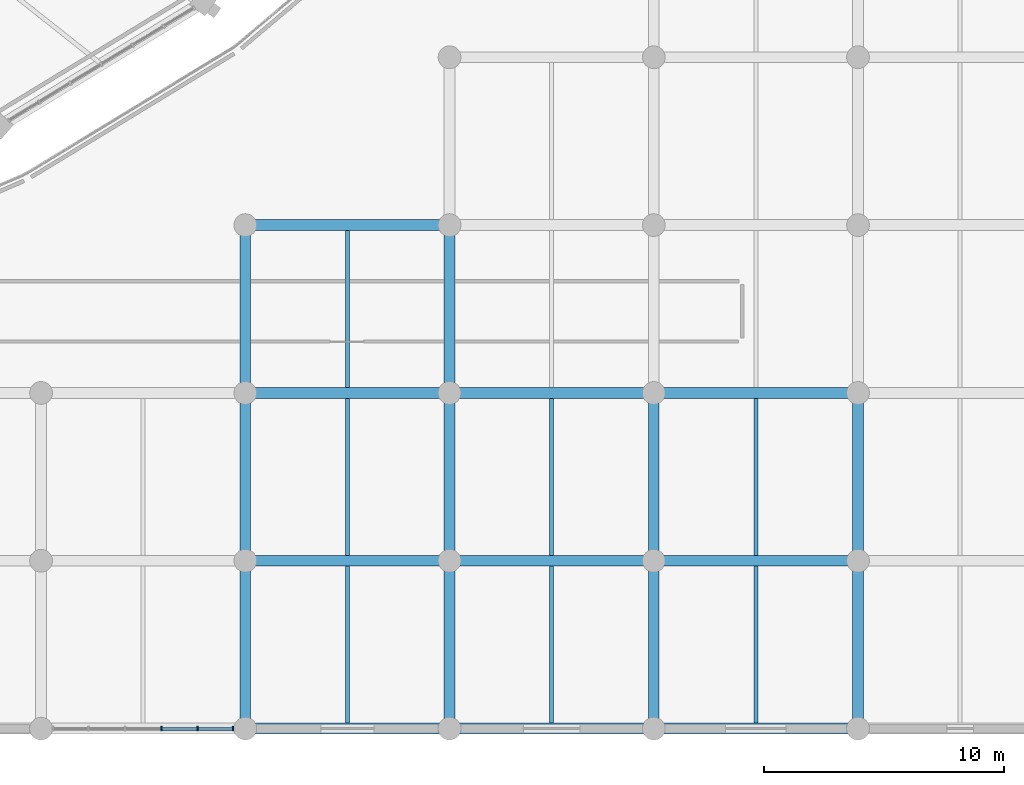
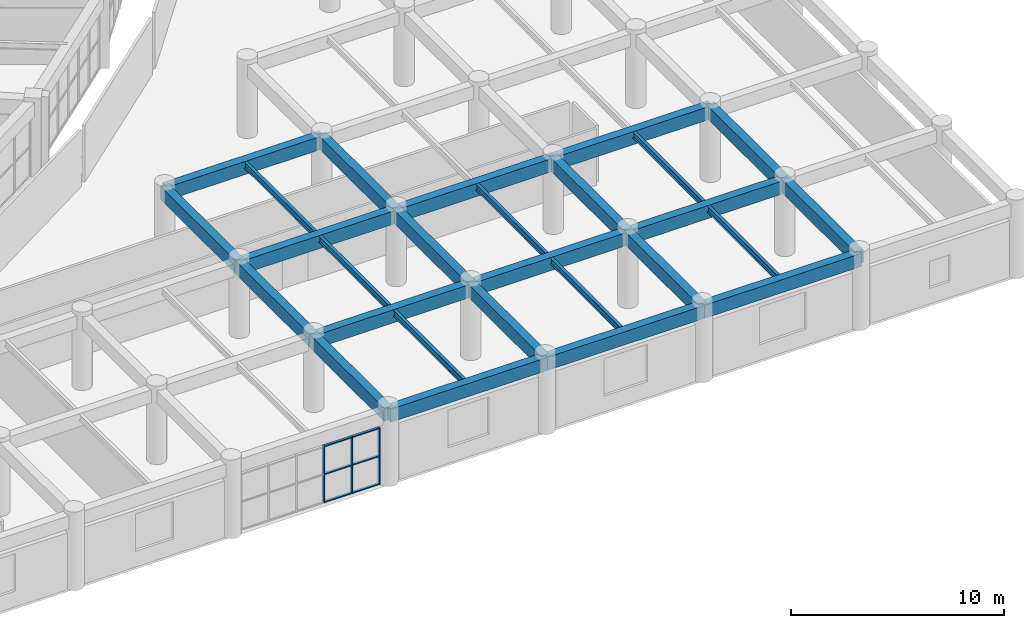
# One storey, part 41 of 145: 27 beams, 9 members, 1 element without a shape of its own.
"""IFC4 building model written with IfcOpenShell, lengths in metres."""

from ifc_helpers import new_model, si_unit, direction, frame, origin, origin_2d, place, context, subcontext, project, spatial, rectangle, i_section, extrude, material, layer, layer_set, material_profile, profile_set, type_object, element, aggregate, save


model = new_model("IFC4")

# Units and contexts
model_context = context("Model", 3, precision=1e-05, world=origin(), true_north=direction((0.0, 1.0)))
body_context = subcontext(model_context, "Body", "Model", "MODEL_VIEW")
ifc_project = project(units=[si_unit("LENGTHUNIT", "METRE"), si_unit("AREAUNIT", "SQUARE_METRE"), si_unit("VOLUMEUNIT", "CUBIC_METRE"), si_unit("PLANEANGLEUNIT", "RADIAN"), si_unit("MASSUNIT", "GRAM", prefix="KILO")], contexts=[model_context])

# Site, building, storey
site_placement = place(None, origin())
site = spatial("IfcSite", under=ifc_project, at=site_placement, CompositionType="ELEMENT")
building_placement = place(site_placement, origin())
building = spatial("IfcBuilding", under=site, at=building_placement, Name="Mphavela Belvedere Stadium", CompositionType="ELEMENT")
storey_placement = place(building_placement, frame((0.0, 0.0, 10.199951171875)))
storey = spatial("IfcBuildingStorey", under=building, at=storey_placement, Name="L02", CompositionType="ELEMENT", Elevation=10.199951171875)

# Beams
ifc_material_1 = material(Name="Steel S355", Category="steel")
ifc_material_profile_1 = material_profile(ifc_material_1, i_section(OverallWidth=0.169921875, OverallDepth=0.360107421875, WebThickness=0.008056640625, FlangeThickness=0.0126953125, at=origin_2d()), Name="IPE 360")
ifc_profile_set_1 = profile_set([ifc_material_profile_1], Name="Steel S355")
beam_type_1 = type_object("IfcBeamType", Name="BM-JOIST-IPE360", PredefinedType="JOIST", material=ifc_profile_set_1)
for number, where, z_axis, x_axis, name in (
    (1, (200.18505859375, 0.22509765625, 4.06005859375), (0.0, 1.0, 0.0), (-1.0, 0.0, 0.0), "South Axial Triumphal Peristyle Portico secondary joist L02 24-1"),
    (2, (200.18505859375, 7.22509765625, 4.06005859375), (0.0, 1.0, 0.0), (-1.0, 0.0, 0.0), "South Axial Triumphal Peristyle Portico secondary joist L02 24-2"),
    (3, (200.18505859375, 14.22509765625, 4.06005859375), (0.0, 1.0, 0.0), (-1.0, 0.0, 0.0), "South Axial Triumphal Peristyle Portico secondary joist L02 24-3"),
    (4, (208.70361328125, 0.22509765625, 4.06005859375), (0.0, 1.0, 0.0), (-1.0, 0.0, 0.0), "South Axial Triumphal Peristyle Portico secondary joist L02 25-1"),
    (5, (208.70361328125, 7.22509765625, 4.06005859375), (0.0, 1.0, 0.0), (-1.0, 0.0, 0.0), "South Axial Triumphal Peristyle Portico secondary joist L02 25-2"),
    (6, (217.221923828125, 0.22509765625, 4.06005859375), (0.0, 1.0, 0.0), (-1.0, 0.0, 0.0), "South Axial Triumphal Peristyle Portico secondary joist L02 26-1"),
    (7, (217.221923828125, 7.22509765625, 4.06005859375), (0.0, 1.0, 0.0), (-1.0, 0.0, 0.0), "South Axial Triumphal Peristyle Portico secondary joist L02 26-2"),
):
    element("IfcBeam", number, at=place(storey_placement, frame(where, z_axis=z_axis, x_axis=x_axis)), inside=storey, type_object=beam_type_1, Name=name, PredefinedType="JOIST", context=body_context, shape_type="SweptSolid", body=[
        extrude(i_section(OverallWidth=0.169921875, OverallDepth=0.360107421875, WebThickness=0.008056640625, FlangeThickness=0.0126953125, at=origin_2d()), origin(), (0.0, 0.0, 1.0), 6.5498046875),
    ])
ifc_material_2 = material(Name="Concrete C40/50", Category="concrete")
ifc_material_profile_2 = material_profile(ifc_material_2, rectangle(XDim=0.449951171875, YDim=0.75, at=origin_2d()), Name="RC 450x750")
ifc_profile_set_2 = profile_set([ifc_material_profile_2], Name="Concrete C40/50")
beam_type_2 = type_object("IfcBeamType", Name="BM-RC450x750", PredefinedType="BEAM", material=ifc_profile_set_2)
beam_1_placement = place(storey_placement, frame((195.926025390625, 0.0, 3.864990234375), z_axis=(1.0, 0.0, 0.0), x_axis=(0.0, 1.0, 0.0)))
element("IfcBeam", 8, at=beam_1_placement, inside=storey, type_object=beam_type_2, Name="South Axial Triumphal Peristyle Portico entablature beam X L02 24-1", PredefinedType="BEAM", context=body_context, shape_type="SweptSolid", body=[
    extrude(rectangle(XDim=0.449951171875, YDim=0.75, at=origin_2d()), origin(), (0.0, 0.0, 1.0), 8.51806640625),
])
beam_2_placement = place(storey_placement, frame((195.926025390625, 0.0, 3.864990234375), z_axis=(0.0, 1.0, 0.0), x_axis=(-1.0, 0.0, 0.0)))
element("IfcBeam", 9, at=beam_2_placement, inside=storey, type_object=beam_type_2, Name="South Axial Triumphal Peristyle Portico entablature beam Y L02 24-1", PredefinedType="BEAM", context=body_context, shape_type="SweptSolid", body=[
    extrude(rectangle(XDim=0.449951171875, YDim=0.75, at=origin_2d()), origin(), (0.0, 0.0, 1.0), 7.0),
])
beam_3_placement = place(storey_placement, frame((195.926025390625, 7.0, 3.864990234375), z_axis=(1.0, 0.0, 0.0), x_axis=(0.0, 1.0, 0.0)))
element("IfcBeam", 10, at=beam_3_placement, inside=storey, type_object=beam_type_2, Name="South Axial Triumphal Peristyle Portico entablature beam X L02 24-2", PredefinedType="BEAM", context=body_context, shape_type="SweptSolid", body=[
    extrude(rectangle(XDim=0.449951171875, YDim=0.75, at=origin_2d()), origin(), (0.0, 0.0, 1.0), 8.51806640625),
])
beam_4_placement = place(storey_placement, frame((195.926025390625, 7.0, 3.864990234375), z_axis=(0.0, 1.0, 0.0), x_axis=(-1.0, 0.0, 0.0)))
element("IfcBeam", 11, at=beam_4_placement, inside=storey, type_object=beam_type_2, Name="South Axial Triumphal Peristyle Portico entablature beam Y L02 24-2", PredefinedType="BEAM", context=body_context, shape_type="SweptSolid", body=[
    extrude(rectangle(XDim=0.449951171875, YDim=0.75, at=origin_2d()), origin(), (0.0, 0.0, 1.0), 7.0),
])
beam_5_placement = place(storey_placement, frame((195.926025390625, 14.0, 3.864990234375), z_axis=(1.0, 0.0, 0.0), x_axis=(0.0, 1.0, 0.0)))
element("IfcBeam", 12, at=beam_5_placement, inside=storey, type_object=beam_type_2, Name="South Axial Triumphal Peristyle Portico entablature beam X L02 24-3", PredefinedType="BEAM", context=body_context, shape_type="SweptSolid", body=[
    extrude(rectangle(XDim=0.449951171875, YDim=0.75, at=origin_2d()), origin(), (0.0, 0.0, 1.0), 8.51806640625),
])
beam_6_placement = place(storey_placement, frame((195.926025390625, 14.0, 3.864990234375), z_axis=(0.0, 1.0, 0.0), x_axis=(-1.0, 0.0, 0.0)))
element("IfcBeam", 13, at=beam_6_placement, inside=storey, type_object=beam_type_2, Name="South Axial Triumphal Peristyle Portico entablature beam Y L02 24-3", PredefinedType="BEAM", context=body_context, shape_type="SweptSolid", body=[
    extrude(rectangle(XDim=0.449951171875, YDim=0.75, at=origin_2d()), origin(), (0.0, 0.0, 1.0), 7.0),
])
beam_7_placement = place(storey_placement, frame((195.926025390625, 21.0, 3.864990234375), z_axis=(1.0, 0.0, 0.0), x_axis=(0.0, 1.0, 0.0)))
element("IfcBeam", 14, at=beam_7_placement, inside=storey, type_object=beam_type_2, Name="South Axial Triumphal Peristyle Portico entablature beam X L02 24-4", PredefinedType="BEAM", context=body_context, shape_type="SweptSolid", body=[
    extrude(rectangle(XDim=0.449951171875, YDim=0.75, at=origin_2d()), origin(), (0.0, 0.0, 1.0), 8.51806640625),
])
beam_8_placement = place(storey_placement, frame((204.444091796875, 0.0, 3.864990234375), z_axis=(1.0, 0.0, 0.0), x_axis=(0.0, 1.0, 0.0)))
element("IfcBeam", 15, at=beam_8_placement, inside=storey, type_object=beam_type_2, Name="South Axial Triumphal Peristyle Portico entablature beam X L02 25-1", PredefinedType="BEAM", context=body_context, shape_type="SweptSolid", body=[
    extrude(rectangle(XDim=0.449951171875, YDim=0.75, at=origin_2d()), origin(), (0.0, 0.0, 1.0), 8.518798828125),
])
beam_9_placement = place(storey_placement, frame((204.444091796875, 0.0, 3.864990234375), z_axis=(0.0, 1.0, 0.0), x_axis=(-1.0, 0.0, 0.0)))
element("IfcBeam", 16, at=beam_9_placement, inside=storey, type_object=beam_type_2, Name="South Axial Triumphal Peristyle Portico entablature beam Y L02 25-1", PredefinedType="BEAM", context=body_context, shape_type="SweptSolid", body=[
    extrude(rectangle(XDim=0.449951171875, YDim=0.75, at=origin_2d()), origin(), (0.0, 0.0, 1.0), 7.0),
])
beam_10_placement = place(storey_placement, frame((204.444091796875, 7.0, 3.864990234375), z_axis=(1.0, 0.0, 0.0), x_axis=(0.0, 1.0, 0.0)))
element("IfcBeam", 17, at=beam_10_placement, inside=storey, type_object=beam_type_2, Name="South Axial Triumphal Peristyle Portico entablature beam X L02 25-2", PredefinedType="BEAM", context=body_context, shape_type="SweptSolid", body=[
    extrude(rectangle(XDim=0.449951171875, YDim=0.75, at=origin_2d()), origin(), (0.0, 0.0, 1.0), 8.518798828125),
])
beam_11_placement = place(storey_placement, frame((204.444091796875, 7.0, 3.864990234375), z_axis=(0.0, 1.0, 0.0), x_axis=(-1.0, 0.0, 0.0)))
element("IfcBeam", 18, at=beam_11_placement, inside=storey, type_object=beam_type_2, Name="South Axial Triumphal Peristyle Portico entablature beam Y L02 25-2", PredefinedType="BEAM", context=body_context, shape_type="SweptSolid", body=[
    extrude(rectangle(XDim=0.449951171875, YDim=0.75, at=origin_2d()), origin(), (0.0, 0.0, 1.0), 7.0),
])
beam_12_placement = place(storey_placement, frame((204.444091796875, 14.0, 3.864990234375), z_axis=(1.0, 0.0, 0.0), x_axis=(0.0, 1.0, 0.0)))
element("IfcBeam", 19, at=beam_12_placement, inside=storey, type_object=beam_type_2, Name="South Axial Triumphal Peristyle Portico entablature beam X L02 25-3", PredefinedType="BEAM", context=body_context, shape_type="SweptSolid", body=[
    extrude(rectangle(XDim=0.449951171875, YDim=0.75, at=origin_2d()), origin(), (0.0, 0.0, 1.0), 8.518798828125),
])
beam_13_placement = place(storey_placement, frame((204.444091796875, 14.0, 3.864990234375), z_axis=(0.0, 1.0, 0.0), x_axis=(-1.0, 0.0, 0.0)))
element("IfcBeam", 20, at=beam_13_placement, inside=storey, type_object=beam_type_2, Name="South Axial Triumphal Peristyle Portico entablature beam Y L02 25-3", PredefinedType="BEAM", context=body_context, shape_type="SweptSolid", body=[
    extrude(rectangle(XDim=0.449951171875, YDim=0.75, at=origin_2d()), origin(), (0.0, 0.0, 1.0), 7.0),
])
beam_14_placement = place(storey_placement, frame((212.962890625, 0.0, 3.864990234375), z_axis=(1.0, 0.0, 0.0), x_axis=(0.0, 1.0, 0.0)))
element("IfcBeam", 21, at=beam_14_placement, inside=storey, type_object=beam_type_2, Name="South Axial Triumphal Peristyle Portico entablature beam X L02 26-1", PredefinedType="BEAM", context=body_context, shape_type="SweptSolid", body=[
    extrude(rectangle(XDim=0.449951171875, YDim=0.75, at=origin_2d()), origin(), (0.0, 0.0, 1.0), 8.51806640625),
])
beam_15_placement = place(storey_placement, frame((212.962890625, 0.0, 3.864990234375), z_axis=(0.0, 1.0, 0.0), x_axis=(-1.0, 0.0, 0.0)))
element("IfcBeam", 22, at=beam_15_placement, inside=storey, type_object=beam_type_2, Name="South Axial Triumphal Peristyle Portico entablature beam Y L02 26-1", PredefinedType="BEAM", context=body_context, shape_type="SweptSolid", body=[
    extrude(rectangle(XDim=0.449951171875, YDim=0.75, at=origin_2d()), origin(), (0.0, 0.0, 1.0), 7.0),
])
beam_16_placement = place(storey_placement, frame((212.962890625, 7.0, 3.864990234375), z_axis=(1.0, 0.0, 0.0), x_axis=(0.0, 1.0, 0.0)))
element("IfcBeam", 23, at=beam_16_placement, inside=storey, type_object=beam_type_2, Name="South Axial Triumphal Peristyle Portico entablature beam X L02 26-2", PredefinedType="BEAM", context=body_context, shape_type="SweptSolid", body=[
    extrude(rectangle(XDim=0.449951171875, YDim=0.75, at=origin_2d()), origin(), (0.0, 0.0, 1.0), 8.51806640625),
])
beam_17_placement = place(storey_placement, frame((212.962890625, 7.0, 3.864990234375), z_axis=(0.0, 1.0, 0.0), x_axis=(-1.0, 0.0, 0.0)))
element("IfcBeam", 24, at=beam_17_placement, inside=storey, type_object=beam_type_2, Name="South Axial Triumphal Peristyle Portico entablature beam Y L02 26-2", PredefinedType="BEAM", context=body_context, shape_type="SweptSolid", body=[
    extrude(rectangle(XDim=0.449951171875, YDim=0.75, at=origin_2d()), origin(), (0.0, 0.0, 1.0), 7.0),
])
beam_18_placement = place(storey_placement, frame((212.962890625, 14.0, 3.864990234375), z_axis=(1.0, 0.0, 0.0), x_axis=(0.0, 1.0, 0.0)))
element("IfcBeam", 25, at=beam_18_placement, inside=storey, type_object=beam_type_2, Name="South Axial Triumphal Peristyle Portico entablature beam X L02 26-3", PredefinedType="BEAM", context=body_context, shape_type="SweptSolid", body=[
    extrude(rectangle(XDim=0.449951171875, YDim=0.75, at=origin_2d()), origin(), (0.0, 0.0, 1.0), 8.51806640625),
])
for number, where, z_axis, x_axis, name in (
    (26, (221.48095703125, 0.0, 3.864990234375), (0.0, 1.0, 0.0), (-1.0, 0.0, 0.0), "South Axial Triumphal Peristyle Portico entablature beam Y L02 27-1"),
    (27, (221.48095703125, 7.0, 3.864990234375), (0.0, 1.0, 0.0), (-1.0, 0.0, 0.0), "South Axial Triumphal Peristyle Portico entablature beam Y L02 27-2"),
):
    element("IfcBeam", number, at=place(storey_placement, frame(where, z_axis=z_axis, x_axis=x_axis)), inside=storey, type_object=beam_type_2, Name=name, PredefinedType="BEAM", context=body_context, shape_type="SweptSolid", body=[
        extrude(rectangle(XDim=0.449951171875, YDim=0.75, at=origin_2d()), origin(), (0.0, 0.0, 1.0), 7.0),
    ])

# Curtain wall, members
ifc_material_3 = material(Name="Anodised bronze unitised curtain wall framing")
ifc_layer = layer(ifc_material_3, 0.195068359375)
ifc_layer_set = layer_set([ifc_layer], Name="Anodised bronze unitised curtain wall framing")
curtain_wall_type = type_object("IfcCurtainWallType", Name="CW-UNIT-04", PredefinedType="USERDEFINED", material=ifc_layer_set)
curtain_wall_placement = place(storey_placement, origin())
curtain_wall = element("IfcCurtainWall", 28, at=curtain_wall_placement, inside=storey, type_object=curtain_wall_type, Name="South Axial Triumphal Peristyle Portico gallery curtain wall L02-23", ObjectType="UNITISED CURTAIN WALL", PredefinedType="USERDEFINED")
ifc_material_4 = material(Name="Anodised bronze extruded aluminium", Category="aluminium")
ifc_material_profile_3 = material_profile(ifc_material_4, rectangle(XDim=0.179931640625, YDim=0.06494140625, at=origin_2d()), Name="CW-MUL 180x65")
ifc_profile_set_3 = profile_set([ifc_material_profile_3], Name="Anodised bronze extruded aluminium")
member_type_1 = type_object("IfcMemberType", Name="CWM-180x65", PredefinedType="MULLION", material=ifc_profile_set_3)
member_1_placement = place(storey_placement, frame((195.42041015625, 0.0, 0.0), z_axis=(0.0, 0.0, 1.0), x_axis=(0.0, -1.0, 0.0)))
member_1 = element("IfcMember", 29, at=member_1_placement, type_object=member_type_1, Name="CW-04 mullion 1", PredefinedType="MULLION", context=body_context, shape_type="SweptSolid", body=[
    extrude(rectangle(XDim=0.179931640625, YDim=0.06494140625, at=origin_2d()), origin(), (0.0, 0.0, 1.0), 3.260009765625),
])
member_2_placement = place(storey_placement, frame((193.9384765625, 0.0, 0.0), z_axis=(0.0, 0.0, 1.0), x_axis=(0.0, -1.0, 0.0)))
member_2 = element("IfcMember", 30, at=member_2_placement, type_object=member_type_1, Name="CW-04 mullion 2", PredefinedType="MULLION", context=body_context, shape_type="SweptSolid", body=[
    extrude(rectangle(XDim=0.179931640625, YDim=0.06494140625, at=origin_2d()), origin(), (0.0, 0.0, 1.0), 3.260009765625),
])
member_3_placement = place(storey_placement, frame((192.423828125, 0.0, 0.0), z_axis=(0.0, 0.0, 1.0), x_axis=(0.0, -1.0, 0.0)))
member_3 = element("IfcMember", 31, at=member_3_placement, type_object=member_type_1, Name="CW-04 mullion 3", PredefinedType="MULLION", context=body_context, shape_type="SweptSolid", body=[
    extrude(rectangle(XDim=0.179931640625, YDim=0.06494140625, at=origin_2d()), origin(), (0.0, 0.0, 1.0), 3.260009765625),
])
ifc_material_5 = material(Name="Anodised bronze extruded aluminium", Category="aluminium")
ifc_material_profile_4 = material_profile(ifc_material_5, rectangle(XDim=0.139892578125, YDim=0.06005859375, at=origin_2d()), Name="CW-TRN 140x60")
ifc_profile_set_4 = profile_set([ifc_material_profile_4], Name="Anodised bronze extruded aluminium")
member_type_2 = type_object("IfcMemberType", Name="CWT-140x60", PredefinedType="USERDEFINED", material=ifc_profile_set_4)
member_4_placement = place(storey_placement, frame((195.387939453125, 0.0, 0.030029296875), z_axis=(-1.0, 0.0, 0.0), x_axis=(0.0, -1.0, 0.0)))
member_4 = element("IfcMember", 32, at=member_4_placement, type_object=member_type_2, Name="CW-04 transom 1.1", ObjectType="TRANSOM", PredefinedType="USERDEFINED", context=body_context, shape_type="SweptSolid", body=[
    extrude(rectangle(XDim=0.139892578125, YDim=0.06005859375, at=origin_2d()), origin(), (0.0, 0.0, 1.0), 1.4169921875),
])
member_5_placement = place(storey_placement, frame((195.387939453125, 0.0, 1.630126953125), z_axis=(-1.0, 0.0, 0.0), x_axis=(0.0, -1.0, 0.0)))
member_5 = element("IfcMember", 33, at=member_5_placement, type_object=member_type_2, Name="CW-04 transom 1.2", ObjectType="TRANSOM", PredefinedType="USERDEFINED", context=body_context, shape_type="SweptSolid", body=[
    extrude(rectangle(XDim=0.139892578125, YDim=0.06005859375, at=origin_2d()), origin(), (0.0, 0.0, 1.0), 1.4169921875),
])
member_6_placement = place(storey_placement, frame((195.387939453125, 0.0, 3.22998046875), z_axis=(-1.0, 0.0, 0.0), x_axis=(0.0, -1.0, 0.0)))
member_6 = element("IfcMember", 34, at=member_6_placement, type_object=member_type_2, Name="CW-04 transom 1.3", ObjectType="TRANSOM", PredefinedType="USERDEFINED", context=body_context, shape_type="SweptSolid", body=[
    extrude(rectangle(XDim=0.139892578125, YDim=0.06005859375, at=origin_2d()), origin(), (0.0, 0.0, 1.0), 1.4169921875),
])
member_7_placement = place(storey_placement, frame((193.906005859375, 0.0, 0.030029296875), z_axis=(-1.0, 0.0, 0.0), x_axis=(0.0, -1.0, 0.0)))
member_7 = element("IfcMember", 35, at=member_7_placement, type_object=member_type_2, Name="CW-04 transom 2.1", ObjectType="TRANSOM", PredefinedType="USERDEFINED", context=body_context, shape_type="SweptSolid", body=[
    extrude(rectangle(XDim=0.139892578125, YDim=0.06005859375, at=origin_2d()), origin(), (0.0, 0.0, 1.0), 1.44970703125),
])
member_8_placement = place(storey_placement, frame((193.906005859375, 0.0, 1.630126953125), z_axis=(-1.0, 0.0, 0.0), x_axis=(0.0, -1.0, 0.0)))
member_8 = element("IfcMember", 36, at=member_8_placement, type_object=member_type_2, Name="CW-04 transom 2.2", ObjectType="TRANSOM", PredefinedType="USERDEFINED", context=body_context, shape_type="SweptSolid", body=[
    extrude(rectangle(XDim=0.139892578125, YDim=0.06005859375, at=origin_2d()), origin(), (0.0, 0.0, 1.0), 1.44970703125),
])
member_9_placement = place(storey_placement, frame((193.906005859375, 0.0, 3.22998046875), z_axis=(-1.0, 0.0, 0.0), x_axis=(0.0, -1.0, 0.0)))
member_9 = element("IfcMember", 37, at=member_9_placement, type_object=member_type_2, Name="CW-04 transom 2.3", ObjectType="TRANSOM", PredefinedType="USERDEFINED", context=body_context, shape_type="SweptSolid", body=[
    extrude(rectangle(XDim=0.139892578125, YDim=0.06005859375, at=origin_2d()), origin(), (0.0, 0.0, 1.0), 1.44970703125),
])
aggregate(curtain_wall, [member_1, member_2, member_3, member_4, member_5, member_6, member_7, member_8, member_9])

save(model, "model.ifc")
